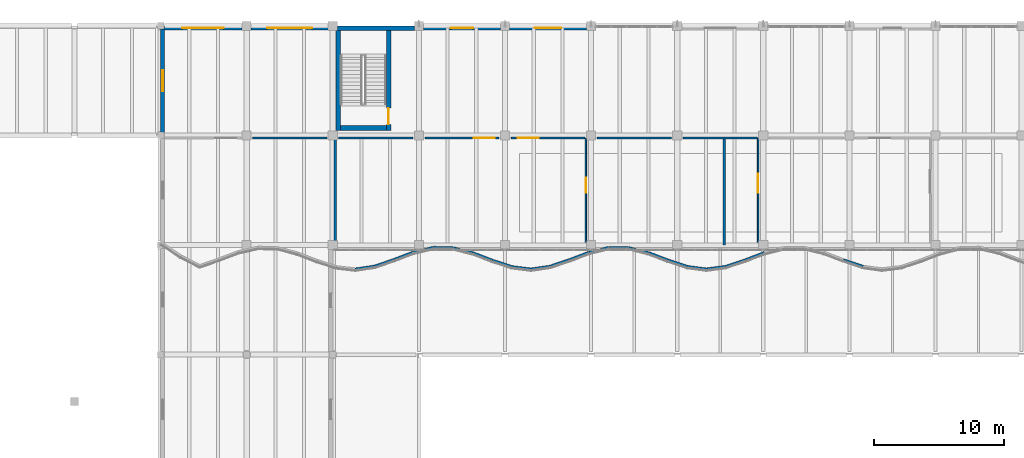
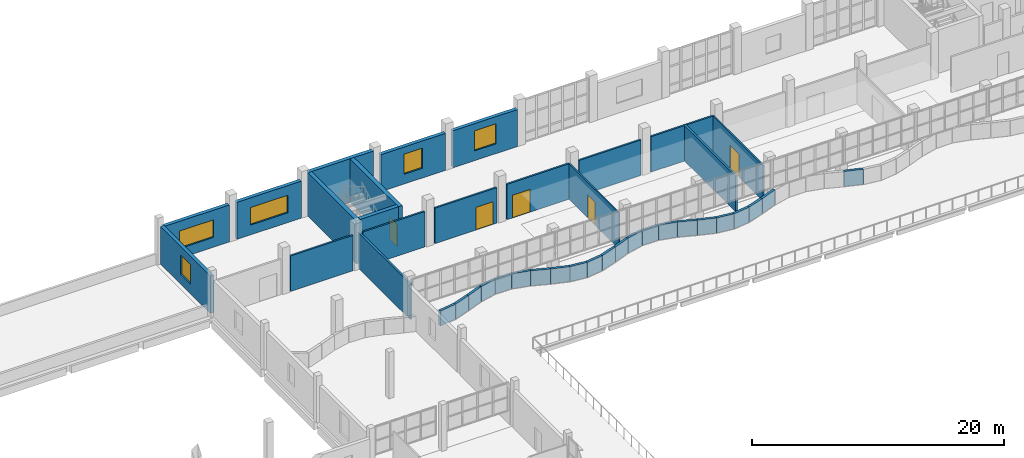
# One storey, part 53 of 83: 41 walls, 5 doors, 5 windows, 10 openings.
"""IFC4 building model written with IfcOpenShell, lengths in metres."""

from ifc_helpers import new_model, si_unit, direction, frame, frame_2d, origin, place, context, subcontext, project, spatial, rectangle, extrude, material, layer, layer_set, type_object, element, fill, save


model = new_model("IFC4")

# Units and contexts
model_context = context("Model", 3, precision=1e-05, world=origin(), true_north=direction((0.0, 1.0)))
body_context = subcontext(model_context, "Body", "Model", "MODEL_VIEW")
ifc_project = project(units=[si_unit("LENGTHUNIT", "METRE"), si_unit("AREAUNIT", "SQUARE_METRE"), si_unit("VOLUMEUNIT", "CUBIC_METRE"), si_unit("PLANEANGLEUNIT", "RADIAN"), si_unit("MASSUNIT", "GRAM", prefix="KILO")], contexts=[model_context])

# Site, building, storey
site_placement = place(None, origin())
site = spatial("IfcSite", under=ifc_project, at=site_placement, CompositionType="ELEMENT")
building_placement = place(site_placement, origin())
building = spatial("IfcBuilding", under=site, at=building_placement, Name="Qaldarim Faculty of Natural and Applied Sciences", CompositionType="ELEMENT")
storey_placement = place(building_placement, frame((0.0, 0.0, 5.39990234375)))
storey = spatial("IfcBuildingStorey", under=building, at=storey_placement, Name="L01", CompositionType="ELEMENT", Elevation=5.39990234375)

# Wall, opening, door
ifc_material_1 = material(Name="Painted gypsum partition board")
ifc_layer_1 = layer(ifc_material_1, 0.1201171875)
ifc_layer_set_1 = layer_set([ifc_layer_1], Name="Painted gypsum partition board")
wall_type_1 = type_object("IfcWallType", Name="AcousticPartition-120", PredefinedType="PARTITIONING", material=ifc_layer_set_1)
wall_1_placement = place(storey_placement, frame((65.60009765625, 101.0, 0.0), z_axis=(0.0, 0.0, 1.0), x_axis=(0.0, 1.0, 0.0)))
wall_1 = element("IfcWall", 1, at=wall_1_placement, inside=storey, type_object=wall_type_1, Name="Interior partition PRT-L01-V4-SUB-1", PredefinedType="PARTITIONING", context=body_context, shape_type="SweptSolid", body=[
    extrude(rectangle(XDim=8.0, YDim=0.1201171875, at=frame_2d((4.0, 0.0))), origin(), (0.0, 0.0, 1.0), 3.4501953125),
])
opening_1_placement = place(wall_1_placement, frame((3.800048828125, 0.0, 0.0)))
opening_1 = element("IfcOpeningElement", 2, at=opening_1_placement, cuts=wall_1, Name="Opening ID09", PredefinedType="OPENING", context=body_context, shape_type="SweptSolid", body=[
    extrude(rectangle(XDim=1.14990234375, YDim=2.199951171875, at=frame_2d((0.574951171875, 1.10009765625))), frame((0.0, 0.070068359375, 0.0), z_axis=(0.0, -1.0, 0.0), x_axis=(1.0, 0.0, 0.0)), (0.0, 0.0, 1.0), 0.14013671875),
])
ifc_material_2 = material(Name="Architectural stainless steel 316", Category="steel")
door_type_1 = type_object("IfcDoorType", Name="CleanroomAirlockDoor-1150x2200", OperationType="NOTDEFINED", PredefinedType="DOOR", material=ifc_material_2)
door_1_placement = place(opening_1_placement, origin())
door_1 = element("IfcDoor", 3, at=door_1_placement, inside=storey, type_object=door_type_1, Name="Interior door D-L01-317", OperationType="SINGLE_SWING_LEFT", OverallHeight=2.199951171875, OverallWidth=1.14990234375, PredefinedType="DOOR", context=body_context, shape_type="SweptSolid", body=[
    extrude(rectangle(XDim=1.14990234375, YDim=2.199951171875, at=frame_2d((0.574951171875, 1.10009765625))), frame((0.0, 0.02490234375, 0.0), z_axis=(0.0, -1.0, 0.0), x_axis=(1.0, 0.0, 0.0)), (0.0, 0.0, 1.0), 0.050048828125),
])
fill(opening_1, door_1)

wall_2_placement = place(storey_placement, frame((78.800048828125, 101.0, 0.0), z_axis=(0.0, 0.0, 1.0), x_axis=(0.0, 1.0, 0.0)))
wall_2 = element("IfcWall", 4, at=wall_2_placement, inside=storey, type_object=wall_type_1, Name="Interior partition PRT-L01-V4-SUB-2", PredefinedType="PARTITIONING", context=body_context, shape_type="SweptSolid", body=[
    extrude(rectangle(XDim=8.0, YDim=0.1201171875, at=frame_2d((4.0, 0.0))), origin(), (0.0, 0.0, 1.0), 3.4501953125),
])
opening_2_placement = place(wall_2_placement, frame((3.800048828125, 0.0, 0.0)))
opening_2 = element("IfcOpeningElement", 5, at=opening_2_placement, cuts=wall_2, Name="Opening ID11", PredefinedType="OPENING", context=body_context, shape_type="SweptSolid", body=[
    extrude(rectangle(XDim=1.449951171875, YDim=2.25, at=frame_2d((0.72509765625, 1.125))), frame((0.0, 0.070068359375, 0.0), z_axis=(0.0, -1.0, 0.0), x_axis=(1.0, 0.0, 0.0)), (0.0, 0.0, 1.0), 0.14013671875),
])
door_type_2 = type_object("IfcDoorType", Name="InstrumentSuiteDoor-1450x2250", OperationType="NOTDEFINED", PredefinedType="DOOR", material=ifc_material_2)
door_2_placement = place(opening_2_placement, origin())
door_2 = element("IfcDoor", 6, at=door_2_placement, inside=storey, type_object=door_type_2, Name="Interior door D-L01-318", OperationType="SINGLE_SWING_LEFT", OverallHeight=2.25, OverallWidth=1.449951171875, PredefinedType="DOOR", context=body_context, shape_type="SweptSolid", body=[
    extrude(rectangle(XDim=1.449951171875, YDim=2.25, at=frame_2d((0.72509765625, 1.125))), frame((0.0, 0.02490234375, 0.0), z_axis=(0.0, -1.0, 0.0), x_axis=(1.0, 0.0, 0.0)), (0.0, 0.0, 1.0), 0.050048828125),
])
fill(opening_2, door_2)

# Wall
ifc_material_3 = material(Name="Concrete C50/60", Category="concrete")
ifc_layer_2 = layer(ifc_material_3, 0.360107421875)
ifc_layer_set_2 = layer_set([ifc_layer_2], Name="Concrete C50/60")
wall_type_2 = type_object("IfcWallType", Name="CoreShearWall-360", PredefinedType="SHEAR", material=ifc_layer_set_2)
wall_3_placement = place(storey_placement, frame((46.6201171875, 109.590087890625, 0.0), z_axis=(0.0, 0.0, 1.0), x_axis=(0.0, 1.0, 0.0)))
element("IfcWall", 7, at=wall_3_placement, inside=storey, type_object=wall_type_2, Name="Core stair ST-B2 west shear wall L01", PredefinedType="SHEAR", context=body_context, shape_type="SweptSolid", body=[
    extrude(rectangle(XDim=7.83984375, YDim=0.360107421875, at=frame_2d((3.919921875, 0.0))), origin(), (0.0, 0.0, 1.0), 4.2001953125),
])

# Wall, opening, door
wall_4_placement = place(storey_placement, frame((50.47998046875, 109.590087890625, 0.0), z_axis=(0.0, 0.0, 1.0), x_axis=(0.0, 1.0, 0.0)))
wall_4 = element("IfcWall", 8, at=wall_4_placement, inside=storey, type_object=wall_type_2, Name="Core stair ST-B2 east shear wall L01", PredefinedType="SHEAR", context=body_context, shape_type="SweptSolid", body=[
    extrude(rectangle(XDim=7.83984375, YDim=0.360107421875, at=frame_2d((3.919921875, 0.0))), origin(), (0.0, 0.0, 1.0), 4.2001953125),
])
opening_3_placement = place(wall_4_placement, frame((0.449951171875, 0.0, 0.0)))
opening_3 = element("IfcOpeningElement", 9, at=opening_3_placement, cuts=wall_4, Name="Opening ID04", PredefinedType="OPENING", context=body_context, shape_type="SweptSolid", body=[
    extrude(rectangle(XDim=1.25, YDim=2.14990234375, at=frame_2d((0.625, 1.074951171875))), frame((0.0, 0.18994140625, 0.0), z_axis=(0.0, -1.0, 0.0), x_axis=(1.0, 0.0, 0.0)), (0.0, 0.0, 1.0), 0.380126953125),
])
door_type_3 = type_object("IfcDoorType", Name="StairEnclosureFireDoor-1250x2150", OperationType="NOTDEFINED", PredefinedType="DOOR", material=ifc_material_2)
door_3_placement = place(opening_3_placement, origin())
door_3 = element("IfcDoor", 10, at=door_3_placement, inside=storey, type_object=door_type_3, Name="Protected stair ST-B2 fire door D-L01-534", OperationType="SINGLE_SWING_LEFT", OverallHeight=2.14990234375, OverallWidth=1.25, PredefinedType="DOOR", context=body_context, shape_type="SweptSolid", body=[
    extrude(rectangle(XDim=1.25, YDim=2.14990234375, at=frame_2d((0.625, 1.074951171875))), frame((0.0, 0.02490234375, 0.0), z_axis=(0.0, -1.0, 0.0), x_axis=(1.0, 0.0, 0.0)), (0.0, 0.0, 1.0), 0.050048828125),
])
fill(opening_3, door_3)

# Wall
wall_5_placement = place(storey_placement, frame((46.800048828125, 109.77001953125, 0.0), z_axis=(0.0, 0.0, 1.0), x_axis=(1.0, 0.0, 0.0)))
element("IfcWall", 11, at=wall_5_placement, inside=storey, type_object=wall_type_2, Name="Core stair ST-B2 south shear wall L01", PredefinedType="SHEAR", context=body_context, shape_type="SweptSolid", body=[
    extrude(rectangle(XDim=3.5, YDim=0.360107421875, at=frame_2d((1.75, 0.0))), origin(), (0.0, 0.0, 1.0), 4.2001953125),
])

# Wall, opening, window
ifc_material_4 = material(Name="Precast concrete C40/50", Category="concrete")
ifc_layer_3 = layer(ifc_material_4, 0.320068359375)
ifc_layer_set_3 = layer_set([ifc_layer_3], Name="Precast concrete C40/50")
wall_type_3 = type_object("IfcWallType", Name="ExteriorLimestoneWall-320", PredefinedType="SOLIDWALL", material=ifc_layer_set_3)
wall_6_placement = place(storey_placement, frame((39.2548828125, 117.43994140625, 0.0), z_axis=(0.0, 0.0, 1.0), x_axis=(-1.0, 0.0, 0.0)))
wall_6 = element("IfcWall", 12, at=wall_6_placement, inside=storey, type_object=wall_type_3, Name="Exterior wall EW01 L01 N X06Y14", PredefinedType="SOLIDWALL", context=body_context, shape_type="SweptSolid", body=[
    extrude(rectangle(XDim=6.009765625, YDim=0.320068359375, at=frame_2d((3.0048828125, 0.0))), origin(), (0.0, 0.0, 1.0), 3.585205078125),
])
opening_4_placement = place(wall_6_placement, frame((1.429931640625, 0.0, 0.949951171875)))
opening_4 = element("IfcOpeningElement", 13, at=opening_4_placement, cuts=wall_6, Name="Opening WN15", PredefinedType="OPENING", context=body_context, shape_type="SweptSolid", body=[
    extrude(rectangle(XDim=3.14990234375, YDim=1.699951171875, at=frame_2d((1.574951171875, 0.85009765625))), frame((0.0, 0.169921875, 0.0), z_axis=(0.0, -1.0, 0.0), x_axis=(1.0, 0.0, 0.0)), (0.0, 0.0, 1.0), 0.340087890625),
])
ifc_material_5 = material(Name="Insulated low-e double glazing", Category="glass")
window_type_1 = type_object("IfcWindowType", Name="LabWindow-3150x1700", PartitioningType="TRIPLE_PANEL_VERTICAL", PredefinedType="WINDOW", material=ifc_material_5)
window_1_placement = place(opening_4_placement, origin())
window_1 = element("IfcWindow", 14, at=window_1_placement, inside=storey, type_object=window_type_1, Name="Facade window WN15 L01 N X06Y14", OverallHeight=1.699951171875, OverallWidth=3.14990234375, PartitioningType="SINGLE_PANEL", PredefinedType="WINDOW", context=body_context, shape_type="SweptSolid", body=[
    extrude(rectangle(XDim=3.14990234375, YDim=1.699951171875, at=frame_2d((1.574951171875, 0.85009765625))), frame((0.0, 0.030029296875, 0.0), z_axis=(0.0, -1.0, 0.0), x_axis=(1.0, 0.0, 0.0)), (0.0, 0.0, 1.0), 0.06005859375),
])
fill(opening_4, window_1)

wall_7_placement = place(storey_placement, frame((33.159912109375, 117.35498046875, 0.0), z_axis=(0.0, 0.0, 1.0), x_axis=(0.0, -1.0, 0.0)))
wall_7 = element("IfcWall", 15, at=wall_7_placement, inside=storey, type_object=wall_type_3, Name="Exterior wall EW01 L01 W X06Y14", PredefinedType="SOLIDWALL", context=body_context, shape_type="SweptSolid", body=[
    extrude(rectangle(XDim=7.909912109375, YDim=0.320068359375, at=frame_2d((3.955078125, 0.0))), origin(), (0.0, 0.0, 1.0), 3.635009765625),
])
opening_5_placement = place(wall_7_placement, frame((3.155029296875, 0.0, 0.949951171875)))
opening_5 = element("IfcOpeningElement", 16, at=opening_5_placement, cuts=wall_7, Name="Opening WN19", PredefinedType="OPENING", context=body_context, shape_type="SweptSolid", body=[
    extrude(rectangle(XDim=1.60009765625, YDim=1.85009765625, at=frame_2d((0.800048828125, 0.925048828125))), frame((0.0, 0.169921875, 0.0), z_axis=(0.0, -1.0, 0.0), x_axis=(1.0, 0.0, 0.0)), (0.0, 0.0, 1.0), 0.340087890625),
])
window_type_2 = type_object("IfcWindowType", Name="StudyWindow-1600x1850", PartitioningType="DOUBLE_PANEL_VERTICAL", PredefinedType="WINDOW", material=ifc_material_5)
window_2_placement = place(opening_5_placement, origin())
window_2 = element("IfcWindow", 17, at=window_2_placement, inside=storey, type_object=window_type_2, Name="Facade window WN19 L01 W X06Y14", OverallHeight=1.85009765625, OverallWidth=1.60009765625, PartitioningType="SINGLE_PANEL", PredefinedType="WINDOW", context=body_context, shape_type="SweptSolid", body=[
    extrude(rectangle(XDim=1.60009765625, YDim=1.85009765625, at=frame_2d((0.800048828125, 0.925048828125))), frame((0.0, 0.030029296875, 0.0), z_axis=(0.0, -1.0, 0.0), x_axis=(1.0, 0.0, 0.0)), (0.0, 0.0, 1.0), 0.06005859375),
])
fill(opening_5, window_2)

wall_8_placement = place(storey_placement, frame((45.85498046875, 117.43994140625, 0.0), z_axis=(0.0, 0.0, 1.0), x_axis=(-1.0, 0.0, 0.0)))
wall_8 = element("IfcWall", 18, at=wall_8_placement, inside=storey, type_object=wall_type_3, Name="Exterior wall EW01 L01 N X07Y14", PredefinedType="SOLIDWALL", context=body_context, shape_type="SweptSolid", body=[
    extrude(rectangle(XDim=5.909912109375, YDim=0.320068359375, at=frame_2d((2.955078125, 0.0))), origin(), (0.0, 0.0, 1.0), 3.585205078125),
])
opening_6_placement = place(wall_8_placement, frame((1.22998046875, 0.0, 0.949951171875)))
opening_6 = element("IfcOpeningElement", 19, at=opening_6_placement, cuts=wall_8, Name="Opening WN16", PredefinedType="OPENING", context=body_context, shape_type="SweptSolid", body=[
    extrude(rectangle(XDim=3.449951171875, YDim=1.699951171875, at=frame_2d((1.72509765625, 0.85009765625))), frame((0.0, 0.169921875, 0.0), z_axis=(0.0, -1.0, 0.0), x_axis=(1.0, 0.0, 0.0)), (0.0, 0.0, 1.0), 0.340087890625),
])
window_type_3 = type_object("IfcWindowType", Name="LabWindow-3450x1700", PartitioningType="TRIPLE_PANEL_VERTICAL", PredefinedType="WINDOW", material=ifc_material_5)
window_3_placement = place(opening_6_placement, origin())
window_3 = element("IfcWindow", 20, at=window_3_placement, inside=storey, type_object=window_type_3, Name="Facade window WN16 L01 N X07Y14", OverallHeight=1.699951171875, OverallWidth=3.449951171875, PartitioningType="SINGLE_PANEL", PredefinedType="WINDOW", context=body_context, shape_type="SweptSolid", body=[
    extrude(rectangle(XDim=3.449951171875, YDim=1.699951171875, at=frame_2d((1.72509765625, 0.85009765625))), frame((0.0, 0.030029296875, 0.0), z_axis=(0.0, -1.0, 0.0), x_axis=(1.0, 0.0, 0.0)), (0.0, 0.0, 1.0), 0.06005859375),
])
fill(opening_6, window_3)

wall_9_placement = place(storey_placement, frame((59.054931640625, 117.43994140625, 0.0), z_axis=(0.0, 0.0, 1.0), x_axis=(-1.0, 0.0, 0.0)))
wall_9 = element("IfcWall", 21, at=wall_9_placement, inside=storey, type_object=wall_type_3, Name="Exterior wall EW01 L01 N X09Y14", PredefinedType="SOLIDWALL", context=body_context, shape_type="SweptSolid", body=[
    extrude(rectangle(XDim=5.909912109375, YDim=0.320068359375, at=frame_2d((2.955078125, 0.0))), origin(), (0.0, 0.0, 1.0), 3.585205078125),
])
opening_7_placement = place(wall_9_placement, frame((2.10498046875, 0.0, 0.949951171875)))
opening_7 = element("IfcOpeningElement", 22, at=opening_7_placement, cuts=wall_9, Name="Opening WN26", PredefinedType="OPENING", context=body_context, shape_type="SweptSolid", body=[
    extrude(rectangle(XDim=1.699951171875, YDim=1.949951171875, at=frame_2d((0.85009765625, 0.97509765625))), frame((0.0, 0.169921875, 0.0), z_axis=(0.0, -1.0, 0.0), x_axis=(1.0, 0.0, 0.0)), (0.0, 0.0, 1.0), 0.340087890625),
])
window_type_4 = type_object("IfcWindowType", Name="GalleryWindow-1700x1950", PartitioningType="DOUBLE_PANEL_VERTICAL", PredefinedType="WINDOW", material=ifc_material_5)
window_4_placement = place(opening_7_placement, origin())
window_4 = element("IfcWindow", 23, at=window_4_placement, inside=storey, type_object=window_type_4, Name="Facade window WN26 L01 N X09Y14", OverallHeight=1.949951171875, OverallWidth=1.699951171875, PartitioningType="SINGLE_PANEL", PredefinedType="WINDOW", context=body_context, shape_type="SweptSolid", body=[
    extrude(rectangle(XDim=1.699951171875, YDim=1.949951171875, at=frame_2d((0.85009765625, 0.97509765625))), frame((0.0, 0.030029296875, 0.0), z_axis=(0.0, -1.0, 0.0), x_axis=(1.0, 0.0, 0.0)), (0.0, 0.0, 1.0), 0.06005859375),
])
fill(opening_7, window_4)

wall_10_placement = place(storey_placement, frame((65.655029296875, 117.43994140625, 0.0), z_axis=(0.0, 0.0, 1.0), x_axis=(-1.0, 0.0, 0.0)))
wall_10 = element("IfcWall", 24, at=wall_10_placement, inside=storey, type_object=wall_type_3, Name="Exterior wall EW01 L01 N X10Y14", PredefinedType="SOLIDWALL", context=body_context, shape_type="SweptSolid", body=[
    extrude(rectangle(XDim=5.909912109375, YDim=0.320068359375, at=frame_2d((2.955078125, 0.0))), origin(), (0.0, 0.0, 1.0), 3.585205078125),
])
opening_8_placement = place(wall_10_placement, frame((1.955078125, 0.0, 0.949951171875)))
opening_8 = element("IfcOpeningElement", 25, at=opening_8_placement, cuts=wall_10, Name="Opening WN27", PredefinedType="OPENING", context=body_context, shape_type="SweptSolid", body=[
    extrude(rectangle(XDim=2.0, YDim=1.949951171875, at=frame_2d((1.0, 0.97509765625))), frame((0.0, 0.169921875, 0.0), z_axis=(0.0, -1.0, 0.0), x_axis=(1.0, 0.0, 0.0)), (0.0, 0.0, 1.0), 0.340087890625),
])
window_type_5 = type_object("IfcWindowType", Name="GalleryWindow-2000x1950", PartitioningType="DOUBLE_PANEL_VERTICAL", PredefinedType="WINDOW", material=ifc_material_5)
window_5_placement = place(opening_8_placement, origin())
window_5 = element("IfcWindow", 26, at=window_5_placement, inside=storey, type_object=window_type_5, Name="Facade window WN27 L01 N X10Y14", OverallHeight=1.949951171875, OverallWidth=2.0, PartitioningType="SINGLE_PANEL", PredefinedType="WINDOW", context=body_context, shape_type="SweptSolid", body=[
    extrude(rectangle(XDim=2.0, YDim=1.949951171875, at=frame_2d((1.0, 0.97509765625))), frame((0.0, 0.030029296875, 0.0), z_axis=(0.0, -1.0, 0.0), x_axis=(1.0, 0.0, 0.0)), (0.0, 0.0, 1.0), 0.06005859375),
])
fill(opening_8, window_5)

# Walls
ifc_layer_4 = layer(ifc_material_3, 0.340087890625)
ifc_layer_set_4 = layer_set([ifc_layer_4], Name="Concrete C50/60")
wall_type_4 = type_object("IfcWallType", Name="ExteriorStairShearWall-340", PredefinedType="SHEAR", material=ifc_layer_set_4)
wall_11_placement = place(storey_placement, frame((52.455078125, 117.429931640625, 0.0), z_axis=(0.0, 0.0, 1.0), x_axis=(-1.0, 0.0, 0.0)))
element("IfcWall", 27, at=wall_11_placement, inside=storey, type_object=wall_type_4, Name="Exterior wall EW05 L01 N X08Y14", PredefinedType="SHEAR", context=body_context, shape_type="SweptSolid", body=[
    extrude(rectangle(XDim=5.91015625, YDim=0.340087890625, at=frame_2d((2.955078125, 0.0))), origin(), (0.0, 0.0, 1.0), 4.2001953125),
])
ifc_material_6 = material(Name="Concrete C40/50", Category="concrete")
ifc_layer_5 = layer(ifc_material_6, 0.159912109375)
ifc_layer_set_5 = layer_set([ifc_layer_5], Name="Concrete C40/50")
wall_type_5 = type_object("IfcWallType", Name="FireCorridorWall-160", PredefinedType="PARTITIONING", material=ifc_layer_set_5)
wall_12_placement = place(storey_placement, frame((40.050048828125, 109.0, 0.0), z_axis=(0.0, 0.0, 1.0), x_axis=(1.0, 0.0, 0.0)))
element("IfcWall", 28, at=wall_12_placement, inside=storey, type_object=wall_type_5, Name="Interior partition PRT-L01-V4-CORS-S2", PredefinedType="PARTITIONING", context=body_context, shape_type="SweptSolid", body=[
    extrude(rectangle(XDim=5.699951171875, YDim=0.159912109375, at=frame_2d((2.85009765625, 0.0))), origin(), (0.0, 0.0, 1.0), 3.43505859375),
])
wall_13_placement = place(storey_placement, frame((46.64990234375, 109.0, 0.0), z_axis=(0.0, 0.0, 1.0), x_axis=(1.0, 0.0, 0.0)))
element("IfcWall", 29, at=wall_13_placement, inside=storey, type_object=wall_type_5, Name="Interior partition PRT-L01-V4-CORS-S3", PredefinedType="PARTITIONING", context=body_context, shape_type="SweptSolid", body=[
    extrude(rectangle(XDim=5.7001953125, YDim=0.159912109375, at=frame_2d((2.85009765625, 0.0))), origin(), (0.0, 0.0, 1.0), 3.43505859375),
])

# Wall, opening, door
wall_14_placement = place(storey_placement, frame((53.25, 109.0, 0.0), z_axis=(0.0, 0.0, 1.0), x_axis=(1.0, 0.0, 0.0)))
wall_14 = element("IfcWall", 30, at=wall_14_placement, inside=storey, type_object=wall_type_5, Name="Interior partition PRT-L01-V4-CORS-S4", PredefinedType="PARTITIONING", context=body_context, shape_type="SweptSolid", body=[
    extrude(rectangle(XDim=5.699951171875, YDim=0.159912109375, at=frame_2d((2.85009765625, 0.0))), origin(), (0.0, 0.0, 1.0), 3.43505859375),
])
opening_9_placement = place(wall_14_placement, frame((3.75, 0.0, 0.0)))
opening_9 = element("IfcOpeningElement", 31, at=opening_9_placement, cuts=wall_14, Name="Opening ID06", PredefinedType="OPENING", context=body_context, shape_type="SweptSolid", body=[
    extrude(rectangle(XDim=1.60009765625, YDim=2.199951171875, at=frame_2d((0.800048828125, 1.10009765625))), frame((0.0, 0.08984375, 0.0), z_axis=(0.0, -1.0, 0.0), x_axis=(1.0, 0.0, 0.0)), (0.0, 0.0, 1.0), 0.179931640625),
])
door_type_4 = type_object("IfcDoorType", Name="LabEquipmentDoubleDoor-1600x2200", OperationType="NOTDEFINED", PredefinedType="DOOR", material=ifc_material_2)
door_4_placement = place(opening_9_placement, origin())
door_4 = element("IfcDoor", 32, at=door_4_placement, inside=storey, type_object=door_type_4, Name="Interior door D-L01-194", OperationType="DOUBLE_DOOR_SINGLE_SWING", OverallHeight=2.199951171875, OverallWidth=1.60009765625, PredefinedType="DOOR", context=body_context, shape_type="SweptSolid", body=[
    extrude(rectangle(XDim=1.60009765625, YDim=2.199951171875, at=frame_2d((0.800048828125, 1.10009765625))), frame((0.0, 0.02490234375, 0.0), z_axis=(0.0, -1.0, 0.0), x_axis=(1.0, 0.0, 0.0)), (0.0, 0.0, 1.0), 0.050048828125),
])
fill(opening_9, door_4)

wall_15_placement = place(storey_placement, frame((59.85009765625, 109.0, 0.0), z_axis=(0.0, 0.0, 1.0), x_axis=(1.0, 0.0, 0.0)))
wall_15 = element("IfcWall", 33, at=wall_15_placement, inside=storey, type_object=wall_type_5, Name="Interior partition PRT-L01-V4-CORS-S5", PredefinedType="PARTITIONING", context=body_context, shape_type="SweptSolid", body=[
    extrude(rectangle(XDim=5.699951171875, YDim=0.159912109375, at=frame_2d((2.85009765625, 0.0))), origin(), (0.0, 0.0, 1.0), 3.43505859375),
])
opening_10_placement = place(wall_15_placement, frame((0.530029296875, 0.0, 0.0)))
opening_10 = element("IfcOpeningElement", 34, at=opening_10_placement, cuts=wall_15, Name="Opening ID06", PredefinedType="OPENING", context=body_context, shape_type="SweptSolid", body=[
    extrude(rectangle(XDim=1.60009765625, YDim=2.199951171875, at=frame_2d((0.800048828125, 1.10009765625))), frame((0.0, 0.08984375, 0.0), z_axis=(0.0, -1.0, 0.0), x_axis=(1.0, 0.0, 0.0)), (0.0, 0.0, 1.0), 0.179931640625),
])
door_5_placement = place(opening_10_placement, origin())
door_5 = element("IfcDoor", 35, at=door_5_placement, inside=storey, type_object=door_type_4, Name="Interior door D-L01-195", OperationType="DOUBLE_DOOR_SINGLE_SWING", OverallHeight=2.199951171875, OverallWidth=1.60009765625, PredefinedType="DOOR", context=body_context, shape_type="SweptSolid", body=[
    extrude(rectangle(XDim=1.60009765625, YDim=2.199951171875, at=frame_2d((0.800048828125, 1.10009765625))), frame((0.0, 0.02490234375, 0.0), z_axis=(0.0, -1.0, 0.0), x_axis=(1.0, 0.0, 0.0)), (0.0, 0.0, 1.0), 0.050048828125),
])
fill(opening_10, door_5)

# Walls
for number, where, z_axis, x_axis, name in (
    (36, (66.449951171875, 109.0, 0.0), (0.0, 0.0, 1.0), (1.0, 0.0, 0.0), "Interior partition PRT-L01-V4-CORS-S6"),
    (37, (73.050048828125, 109.0, 0.0), (0.0, 0.0, 1.0), (1.0, 0.0, 0.0), "Interior partition PRT-L01-V4-CORS-S7"),
):
    element("IfcWall", number, at=place(storey_placement, frame(where, z_axis=z_axis, x_axis=x_axis)), inside=storey, type_object=wall_type_5, Name=name, PredefinedType="PARTITIONING", context=body_context, shape_type="SweptSolid", body=[
        extrude(rectangle(XDim=5.699951171875, YDim=0.159912109375, at=frame_2d((2.85009765625, 0.0))), origin(), (0.0, 0.0, 1.0), 3.43505859375),
    ])
ifc_layer_6 = layer(ifc_material_6, 0.179931640625)
ifc_layer_set_6 = layer_set([ifc_layer_6], Name="Concrete C40/50")
wall_type_6 = type_object("IfcWallType", Name="LabFireCompartmentWall-180", PredefinedType="SOLIDWALL", material=ifc_layer_set_6)
for number, where, z_axis, x_axis, name in (
    (38, (46.39990234375, 100.800048828125, 0.0), (0.0, 0.0, 1.0), (0.0, 1.0, 0.0), "Interior partition PRT-L01-V4-PHYE"),
    (39, (76.199951171875, 100.800048828125, 0.0), (0.0, 0.0, 1.0), (0.0, 1.0, 0.0), "Interior partition PRT-L01-V4-ORGD"),
):
    element("IfcWall", number, at=place(storey_placement, frame(where, z_axis=z_axis, x_axis=x_axis)), inside=storey, type_object=wall_type_6, Name=name, PredefinedType="SOLIDWALL", context=body_context, shape_type="SweptSolid", body=[
        extrude(rectangle(XDim=8.199951171875, YDim=0.179931640625, at=frame_2d((4.10009765625, 0.0))), origin(), (0.0, 0.0, 1.0), 3.4501953125),
    ])
ifc_material_7 = material(Name="White architectural precast concrete C40/50", Category="concrete")
ifc_layer_7 = layer(ifc_material_7, 0.219970703125)
ifc_layer_set_7 = layer_set([ifc_layer_7], Name="White architectural precast concrete C40/50")
wall_type_7 = type_object("IfcWallType", Name="WhitePrecastWaveBand-220", PredefinedType="SOLIDWALL", material=ifc_layer_set_7)
wall_16_placement = place(storey_placement, frame((47.925048828125, 98.93994140625, 0.0), z_axis=(0.0, 0.0, 1.0), x_axis=(0.988852088615, 0.148901131096, 0.0)))
element("IfcWall", 40, at=wall_16_placement, inside=storey, type_object=wall_type_7, Name="White precast wave spandrel band L01 chord 11", PredefinedType="SOLIDWALL", context=body_context, shape_type="SweptSolid", body=[
    extrude(rectangle(XDim=1.51171875, YDim=0.219970703125, at=frame_2d((0.755859375, 0.0))), origin(), (0.0, 0.0, 1.0), 1.4501953125),
])
wall_17_placement = place(storey_placement, frame((49.39501953125, 99.155029296875, 0.0), z_axis=(0.0, 0.0, 1.0), x_axis=(0.945157178061, 0.326615842787, 0.0)))
element("IfcWall", 41, at=wall_17_placement, inside=storey, type_object=wall_type_7, Name="White precast wave spandrel band L01 chord 12", PredefinedType="SOLIDWALL", context=body_context, shape_type="SweptSolid", body=[
    extrude(rectangle(XDim=1.576416015625, YDim=0.219970703125, at=frame_2d((0.7880859375, 0.0))), origin(), (0.0, 0.0, 1.0), 1.4501953125),
])
wall_18_placement = place(storey_placement, frame((50.8798828125, 99.669921875, 0.0), z_axis=(0.0, 0.0, 1.0), x_axis=(0.935396889245, 0.353599575213, 0.0)))
element("IfcWall", 42, at=wall_18_placement, inside=storey, type_object=wall_type_7, Name="White precast wave spandrel band L01 chord 13", PredefinedType="SOLIDWALL", context=body_context, shape_type="SweptSolid", body=[
    extrude(rectangle(XDim=1.598388671875, YDim=0.219970703125, at=frame_2d((0.79931640625, 0.0))), origin(), (0.0, 0.0, 1.0), 1.4501953125),
])
wall_19_placement = place(storey_placement, frame((52.39501953125, 100.239990234375, 0.0), z_axis=(0.0, 0.0, 1.0), x_axis=(0.972944141478, 0.231040467371, 0.0)))
element("IfcWall", 43, at=wall_19_placement, inside=storey, type_object=wall_type_7, Name="White precast wave spandrel band L01 chord 14", PredefinedType="SOLIDWALL", context=body_context, shape_type="SweptSolid", body=[
    extrude(rectangle(XDim=1.536376953125, YDim=0.219970703125, at=frame_2d((0.76806640625, 0.0))), origin(), (0.0, 0.0, 1.0), 1.4501953125),
])
wall_20_placement = place(storey_placement, frame((53.919921875, 100.60009765625, 0.0), z_axis=(0.0, 0.0, 1.0), x_axis=(0.999858589401, -0.016816694107, 0.0)))
element("IfcWall", 44, at=wall_20_placement, inside=storey, type_object=wall_type_7, Name="White precast wave spandrel band L01 chord 15", PredefinedType="SOLIDWALL", context=body_context, shape_type="SweptSolid", body=[
    extrude(rectangle(XDim=1.495361328125, YDim=0.219970703125, at=frame_2d((0.74755859375, 0.0))), origin(), (0.0, 0.0, 1.0), 1.4501953125),
])
wall_21_placement = place(storey_placement, frame((55.449951171875, 100.570068359375, 0.0), z_axis=(0.0, 0.0, 1.0), x_axis=(0.968406785453, -0.249375816567, 0.0)))
element("IfcWall", 45, at=wall_21_placement, inside=storey, type_object=wall_type_7, Name="White precast wave spandrel band L01 chord 16", PredefinedType="SOLIDWALL", context=body_context, shape_type="SweptSolid", body=[
    extrude(rectangle(XDim=1.5439453125, YDim=0.219970703125, at=frame_2d((0.77197265625, 0.0))), origin(), (0.0, 0.0, 1.0), 1.4501953125),
])
wall_22_placement = place(storey_placement, frame((56.9599609375, 100.179931640625, 0.0), z_axis=(0.0, 0.0, 1.0), x_axis=(0.933365245405, -0.358928013215, 0.0)))
element("IfcWall", 46, at=wall_22_placement, inside=storey, type_object=wall_type_7, Name="White precast wave spandrel band L01 chord 17", PredefinedType="SOLIDWALL", context=body_context, shape_type="SweptSolid", body=[
    extrude(rectangle(XDim=1.601806640625, YDim=0.219970703125, at=frame_2d((0.80078125, 0.0))), origin(), (0.0, 0.0, 1.0), 1.4501953125),
])
wall_23_placement = place(storey_placement, frame((58.449951171875, 99.610107421875, 0.0), z_axis=(0.0, 0.0, 1.0), x_axis=(0.950269446218, -0.311428931835, 0.0)))
element("IfcWall", 47, at=wall_23_placement, inside=storey, type_object=wall_type_7, Name="White precast wave spandrel band L01 chord 18", PredefinedType="SOLIDWALL", context=body_context, shape_type="SweptSolid", body=[
    extrude(rectangle(XDim=1.5732421875, YDim=0.219970703125, at=frame_2d((0.78662109375, 0.0))), origin(), (0.0, 0.0, 1.0), 1.4501953125),
])
wall_24_placement = place(storey_placement, frame((59.9150390625, 99.125, 0.0), z_axis=(0.0, 0.0, 1.0), x_axis=(0.992375132439, -0.123254194722, 0.0)))
element("IfcWall", 48, at=wall_24_placement, inside=storey, type_object=wall_type_7, Name="White precast wave spandrel band L01 chord 19", PredefinedType="SOLIDWALL", context=body_context, shape_type="SweptSolid", body=[
    extrude(rectangle(XDim=1.50146484375, YDim=0.219970703125, at=frame_2d((0.750732421875, 0.0))), origin(), (0.0, 0.0, 1.0), 1.4501953125),
])
wall_25_placement = place(storey_placement, frame((61.3701171875, 98.93994140625, 0.0), z_axis=(0.0, 0.0, 1.0), x_axis=(0.989806737412, 0.142417072621, 0.0)))
element("IfcWall", 49, at=wall_25_placement, inside=storey, type_object=wall_type_7, Name="White precast wave spandrel band L01 chord 20", PredefinedType="SOLIDWALL", context=body_context, shape_type="SweptSolid", body=[
    extrude(rectangle(XDim=1.51025390625, YDim=0.219970703125, at=frame_2d((0.755126953125, 0.0))), origin(), (0.0, 0.0, 1.0), 1.4501953125),
])
wall_26_placement = place(storey_placement, frame((62.840087890625, 99.14990234375, 0.0), z_axis=(0.0, 0.0, 1.0), x_axis=(0.947375603204, 0.320124142255, 0.0)))
element("IfcWall", 50, at=wall_26_placement, inside=storey, type_object=wall_type_7, Name="White precast wave spandrel band L01 chord 21", PredefinedType="SOLIDWALL", context=body_context, shape_type="SweptSolid", body=[
    extrude(rectangle(XDim=1.577880859375, YDim=0.219970703125, at=frame_2d((0.7890625, 0.0))), origin(), (0.0, 0.0, 1.0), 1.4501953125),
])
wall_27_placement = place(storey_placement, frame((64.330078125, 99.64990234375, 0.0), z_axis=(0.0, 0.0, 1.0), x_axis=(0.93436439089, 0.356318937241, 0.0)))
element("IfcWall", 51, at=wall_27_placement, inside=storey, type_object=wall_type_7, Name="White precast wave spandrel band L01 chord 22", PredefinedType="SOLIDWALL", context=body_context, shape_type="SweptSolid", body=[
    extrude(rectangle(XDim=1.599853515625, YDim=0.219970703125, at=frame_2d((0.7998046875, 0.0))), origin(), (0.0, 0.0, 1.0), 1.4501953125),
])
wall_28_placement = place(storey_placement, frame((65.840087890625, 100.22509765625, 0.0), z_axis=(0.0, 0.0, 1.0), x_axis=(0.971462405428, 0.237193580943, 0.0)))
element("IfcWall", 52, at=wall_28_placement, inside=storey, type_object=wall_type_7, Name="White precast wave spandrel band L01 chord 23", PredefinedType="SOLIDWALL", context=body_context, shape_type="SweptSolid", body=[
    extrude(rectangle(XDim=1.538818359375, YDim=0.219970703125, at=frame_2d((0.76953125, 0.0))), origin(), (0.0, 0.0, 1.0), 1.4501953125),
])
wall_29_placement = place(storey_placement, frame((67.3701171875, 100.594970703125, 0.0), z_axis=(0.0, 0.0, 1.0), x_axis=(0.999977582117, -0.006695913909, 0.0)))
element("IfcWall", 53, at=wall_29_placement, inside=storey, type_object=wall_type_7, Name="White precast wave spandrel band L01 chord 24", PredefinedType="SOLIDWALL", context=body_context, shape_type="SweptSolid", body=[
    extrude(rectangle(XDim=1.494873046875, YDim=0.219970703125, at=frame_2d((0.74755859375, 0.0))), origin(), (0.0, 0.0, 1.0), 1.4501953125),
])
wall_30_placement = place(storey_placement, frame((68.89990234375, 100.580078125, 0.0), z_axis=(0.0, 0.0, 1.0), x_axis=(0.969166609432, -0.246406337506, 0.0)))
element("IfcWall", 54, at=wall_30_placement, inside=storey, type_object=wall_type_7, Name="White precast wave spandrel band L01 chord 25", PredefinedType="SOLIDWALL", context=body_context, shape_type="SweptSolid", body=[
    extrude(rectangle(XDim=1.542724609375, YDim=0.219970703125, at=frame_2d((0.771484375, 0.0))), origin(), (0.0, 0.0, 1.0), 1.4501953125),
])
wall_31_placement = place(storey_placement, frame((70.409912109375, 100.195068359375, 0.0), z_axis=(0.0, 0.0, 1.0), x_axis=(0.934383761217, -0.35626813887, 0.0)))
element("IfcWall", 55, at=wall_31_placement, inside=storey, type_object=wall_type_7, Name="White precast wave spandrel band L01 chord 26", PredefinedType="SOLIDWALL", context=body_context, shape_type="SweptSolid", body=[
    extrude(rectangle(XDim=1.60009765625, YDim=0.219970703125, at=frame_2d((0.800048828125, 0.0))), origin(), (0.0, 0.0, 1.0), 1.4501953125),
])
wall_32_placement = place(storey_placement, frame((71.89990234375, 99.6298828125, 0.0), z_axis=(0.0, 0.0, 1.0), x_axis=(0.948044476945, -0.318137815629, 0.0)))
element("IfcWall", 56, at=wall_32_placement, inside=storey, type_object=wall_type_7, Name="White precast wave spandrel band L01 chord 27", PredefinedType="SOLIDWALL", context=body_context, shape_type="SweptSolid", body=[
    extrude(rectangle(XDim=1.571533203125, YDim=0.219970703125, at=frame_2d((0.78564453125, 0.0))), origin(), (0.0, 0.0, 1.0), 1.4501953125),
])
wall_33_placement = place(storey_placement, frame((73.364990234375, 99.135009765625, 0.0), z_axis=(0.0, 0.0, 1.0), x_axis=(0.991595896094, -0.129373795065, 0.0)))
element("IfcWall", 57, at=wall_33_placement, inside=storey, type_object=wall_type_7, Name="White precast wave spandrel band L01 chord 28", PredefinedType="SOLIDWALL", context=body_context, shape_type="SweptSolid", body=[
    extrude(rectangle(XDim=1.5078125, YDim=0.219970703125, at=frame_2d((0.75390625, 0.0))), origin(), (0.0, 0.0, 1.0), 1.4501953125),
])
wall_34_placement = place(storey_placement, frame((74.820068359375, 98.93994140625, 0.0), z_axis=(0.0, 0.0, 1.0), x_axis=(0.99117267729, 0.13257723709, 0.0)))
element("IfcWall", 58, at=wall_34_placement, inside=storey, type_object=wall_type_7, Name="White precast wave spandrel band L01 chord 29", PredefinedType="SOLIDWALL", context=body_context, shape_type="SweptSolid", body=[
    extrude(rectangle(XDim=1.50830078125, YDim=0.219970703125, at=frame_2d((0.754150390625, 0.0))), origin(), (0.0, 0.0, 1.0), 1.4501953125),
])
wall_35_placement = place(storey_placement, frame((76.2900390625, 99.135009765625, 0.0), z_axis=(0.0, 0.0, 1.0), x_axis=(0.948357538871, 0.317203370832, 0.0)))
element("IfcWall", 59, at=wall_35_placement, inside=storey, type_object=wall_type_7, Name="White precast wave spandrel band L01 chord 30", PredefinedType="SOLIDWALL", context=body_context, shape_type="SweptSolid", body=[
    extrude(rectangle(XDim=1.576171875, YDim=0.219970703125, at=frame_2d((0.7880859375, 0.0))), origin(), (0.0, 0.0, 1.0), 1.4501953125),
])
wall_36_placement = place(storey_placement, frame((77.780029296875, 99.6298828125, 0.0), z_axis=(0.0, 0.0, 1.0), x_axis=(0.93436439089, 0.356318937241, 0.0)))
element("IfcWall", 60, at=wall_36_placement, inside=storey, type_object=wall_type_7, Name="White precast wave spandrel band L01 chord 31", PredefinedType="SOLIDWALL", context=body_context, shape_type="SweptSolid", body=[
    extrude(rectangle(XDim=1.599853515625, YDim=0.219970703125, at=frame_2d((0.7998046875, 0.0))), origin(), (0.0, 0.0, 1.0), 1.4501953125),
])
wall_37_placement = place(storey_placement, frame((85.344970703125, 99.64990234375, 0.0), z_axis=(0.0, 0.0, 1.0), x_axis=(0.94743835932, -0.319938361704, 0.0)))
element("IfcWall", 61, at=wall_37_placement, inside=storey, type_object=wall_type_7, Name="White precast wave spandrel band L01 chord 36", PredefinedType="SOLIDWALL", context=body_context, shape_type="SweptSolid", body=[
    extrude(rectangle(XDim=1.578125, YDim=0.219970703125, at=frame_2d((0.7890625, 0.0))), origin(), (0.0, 0.0, 1.0), 1.4501953125),
])

save(model, "model.ifc")
